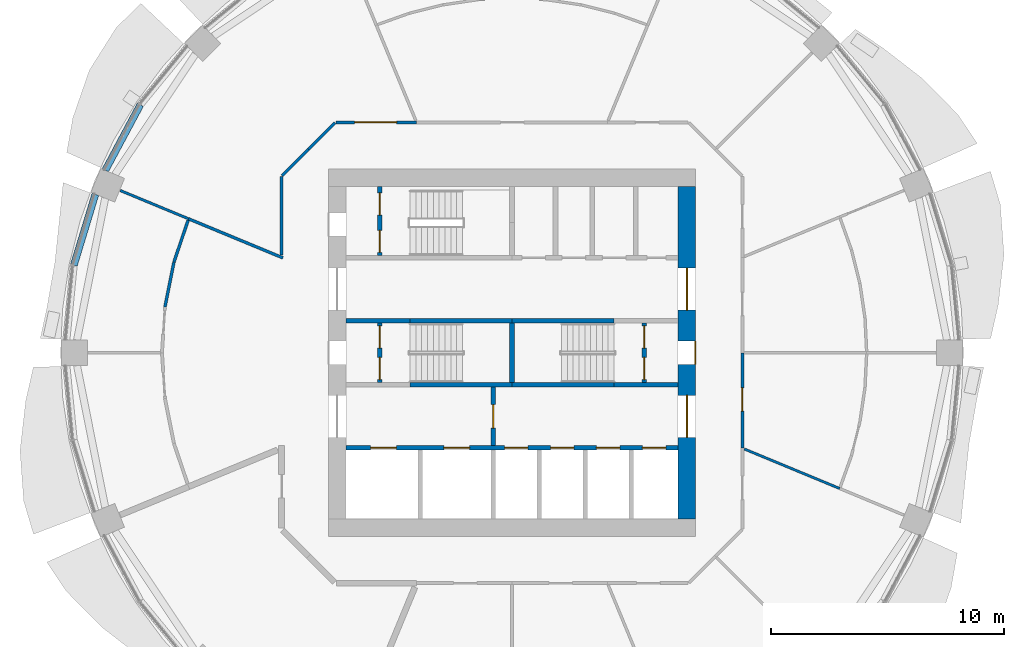
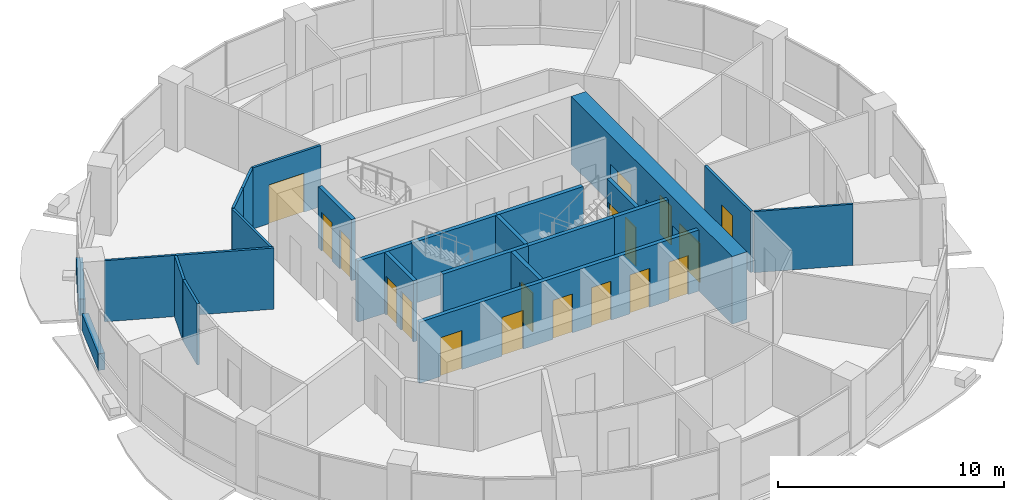
# One storey, part 8 of 14: 25 walls, 18 doors, 18 openings.
"""IFC4 building model written with IfcOpenShell, lengths in metres."""

from ifc_helpers import new_model, si_unit, direction, frame, frame_2d, origin, place, context, subcontext, project, spatial, rectangle, extrude, material, layer, layer_set, type_object, element, fill, save


model = new_model("IFC4")

# Units and contexts
model_context = context("Model", 3, precision=1e-05, world=origin(), true_north=direction((0.0, 1.0)))
body_context = subcontext(model_context, "Body", "Model", "MODEL_VIEW")
ifc_project = project(units=[si_unit("LENGTHUNIT", "METRE"), si_unit("AREAUNIT", "SQUARE_METRE"), si_unit("VOLUMEUNIT", "CUBIC_METRE"), si_unit("PLANEANGLEUNIT", "RADIAN"), si_unit("MASSUNIT", "GRAM", prefix="KILO")], contexts=[model_context])

# Site, building, storey
site_placement = place(None, origin())
site = spatial("IfcSite", under=ifc_project, at=site_placement, CompositionType="ELEMENT")
building_placement = place(site_placement, origin())
building = spatial("IfcBuilding", under=site, at=building_placement, Name="Polderwave Tower", CompositionType="ELEMENT")
storey_placement = place(building_placement, frame((0.0, 0.0, 91.0)))
storey = spatial("IfcBuildingStorey", under=building, at=storey_placement, Name="L23", CompositionType="ELEMENT", Elevation=91.0)

# Wall, openings, doors
ifc_material_1 = material(Name="Concrete C70/85", Category="concrete")
ifc_layer_1 = layer(ifc_material_1, 0.75)
ifc_layer_set_1 = layer_set([ifc_layer_1], Name="CORE WALL 750 C70/85")
wall_type_1 = type_object("IfcWallType", Name="CORE WALL 750 C70/85", PredefinedType="SHEAR", material=ifc_layer_set_1)
wall_1_placement = place(storey_placement, frame((7.4990234375, -7.1240234375, 0.0), z_axis=(0.0, 0.0, 1.0), x_axis=(0.0, 1.0, 0.0)))
wall_1 = element("IfcWall", 1, at=wall_1_placement, inside=storey, type_object=wall_type_1, Name="ST-CORE-L23-E", PredefinedType="SHEAR", context=body_context, shape_type="SweptSolid", body=[
    extrude(rectangle(XDim=14.248046875, YDim=0.75, at=frame_2d((7.1240234375, 0.0))), origin(), (0.0, 0.0, 1.0), 3.64990234375),
])
opening_1_placement = place(wall_1_placement, frame((6.6240234375, 0.0, 0.0)))
opening_1 = element("IfcOpeningElement", 2, at=opening_1_placement, cuts=wall_1, Name="Opening L23-D22", PredefinedType="OPENING", context=body_context, shape_type="SweptSolid", body=[
    extrude(rectangle(XDim=1.0, YDim=2.10009765625, at=frame_2d((0.5, 1.050048828125))), frame((0.0, 0.385009765625, 0.0), z_axis=(0.0, -1.0, 0.0), x_axis=(1.0, 0.0, 0.0)), (0.0, 0.0, 1.0), 0.77001953125),
])
opening_2_placement = place(wall_1_placement, frame((3.49951171875, 0.0, 0.0)))
opening_2 = element("IfcOpeningElement", 3, at=opening_2_placement, cuts=wall_1, Name="Opening L23-D23", PredefinedType="OPENING", context=body_context, shape_type="SweptSolid", body=[
    extrude(rectangle(XDim=1.800048828125, YDim=2.10009765625, at=frame_2d((0.89990234375, 1.050048828125))), frame((0.0, 0.385009765625, 0.0), z_axis=(0.0, -1.0, 0.0), x_axis=(1.0, 0.0, 0.0)), (0.0, 0.0, 1.0), 0.77001953125),
])
opening_3_placement = place(wall_1_placement, frame((8.948486328125, 0.0, 0.0)))
opening_3 = element("IfcOpeningElement", 4, at=opening_3_placement, cuts=wall_1, Name="Opening L23-D24", PredefinedType="OPENING", context=body_context, shape_type="SweptSolid", body=[
    extrude(rectangle(XDim=1.800048828125, YDim=2.10009765625, at=frame_2d((0.89990234375, 1.050048828125))), frame((0.0, 0.385009765625, 0.0), z_axis=(0.0, -1.0, 0.0), x_axis=(1.0, 0.0, 0.0)), (0.0, 0.0, 1.0), 0.77001953125),
])
ifc_material_2 = material(Name="Steel fire door", Category="steel")
door_type_1 = type_object("IfcDoorType", Name="Lobby entry door pair 1800", OperationType="DOUBLE_DOOR_SINGLE_SWING", PredefinedType="DOOR", material=ifc_material_2)
door_1_placement = place(opening_2_placement, frame((1.800048828125, 0.0, 0.0), z_axis=(0.0, 0.0, 1.0), x_axis=(-1.0, 0.0, 0.0)))
door_1 = element("IfcDoor", 5, at=door_1_placement, inside=storey, type_object=door_type_1, Name="South lobby entry door", OperationType="DOUBLE_DOOR_SINGLE_SWING", OverallHeight=2.10009765625, OverallWidth=1.800048828125, PredefinedType="DOOR", context=body_context, shape_type="SweptSolid", body=[
    extrude(rectangle(XDim=1.800048828125, YDim=2.10009765625, at=frame_2d((0.89990234375, 1.050048828125))), frame((0.0, 0.02490234375, 0.0), z_axis=(0.0, -1.0, 0.0), x_axis=(1.0, 0.0, 0.0)), (0.0, 0.0, 1.0), 0.050048828125),
])
fill(opening_2, door_1)
door_2_placement = place(opening_3_placement, frame((1.800048828125, 0.0, 0.0), z_axis=(0.0, 0.0, 1.0), x_axis=(-1.0, 0.0, 0.0)))
door_2 = element("IfcDoor", 6, at=door_2_placement, inside=storey, type_object=door_type_1, Name="North lobby entry door", OperationType="DOUBLE_DOOR_SINGLE_SWING", OverallHeight=2.10009765625, OverallWidth=1.800048828125, PredefinedType="DOOR", context=body_context, shape_type="SweptSolid", body=[
    extrude(rectangle(XDim=1.800048828125, YDim=2.10009765625, at=frame_2d((0.89990234375, 1.050048828125))), frame((0.0, 0.02490234375, 0.0), z_axis=(0.0, -1.0, 0.0), x_axis=(1.0, 0.0, 0.0)), (0.0, 0.0, 1.0), 0.050048828125),
])
fill(opening_3, door_2)
door_type_2 = type_object("IfcDoorType", Name="Stair door 1000", OperationType="NOTDEFINED", PredefinedType="DOOR", material=ifc_material_2)
door_3_placement = place(opening_1_placement, frame((1.0, 0.0, 0.0), z_axis=(0.0, 0.0, 1.0), x_axis=(-1.0, 0.0, 0.0)))
door_3 = element("IfcDoor", 7, at=door_3_placement, inside=storey, type_object=door_type_2, Name="Stair B entry door", OperationType="SINGLE_SWING_LEFT", OverallHeight=2.10009765625, OverallWidth=1.0, PredefinedType="DOOR", context=body_context, shape_type="SweptSolid", body=[
    extrude(rectangle(XDim=1.0, YDim=2.10009765625, at=frame_2d((0.5, 1.050048828125))), frame((0.0, 0.375, 0.0), z_axis=(0.0, -1.0, 0.0), x_axis=(1.0, 0.0, 0.0)), (0.0, 0.0, 1.0), 0.050048828125),
])
fill(opening_1, door_3)

# Walls
ifc_material_3 = material(Name="Concrete C50/60 (board-marked)", Category="concrete")
ifc_layer_2 = layer(ifc_material_3, 0.300048828125)
ifc_layer_set_2 = layer_set([ifc_layer_2], Name="Concrete spandrel upstand C50/60")
wall_type_2 = type_object("IfcWallType", Name="Concrete spandrel upstand C50/60", PredefinedType="SOLIDWALL", material=ifc_layer_set_2)
wall_2_placement = place(storey_placement, frame((-15.92919921875, 10.625732421875, 0.0), z_axis=(0.0, 0.0, 1.0), x_axis=(-0.471458802606, -0.88188808669, 0.0)))
element("IfcWall", 8, at=wall_2_placement, inside=storey, type_object=wall_type_2, Name="Spandrel L23 7b", PredefinedType="SOLIDWALL", context=body_context, shape_type="SweptSolid", body=[
    extrude(rectangle(XDim=3.17236328125, YDim=0.300048828125, at=frame_2d((1.586181640625, 0.0))), origin(), (0.0, 0.0, 1.0), 0.89990234375),
])
wall_3_placement = place(storey_placement, frame((-17.8564453125, 6.78662109375, 0.0), z_axis=(0.0, 0.0, 1.0), x_axis=(-0.290325591482, -0.956927923582, 0.0)))
element("IfcWall", 9, at=wall_3_placement, inside=storey, type_object=wall_type_2, Name="Spandrel L23 8a", PredefinedType="SOLIDWALL", context=body_context, shape_type="SweptSolid", body=[
    extrude(rectangle(XDim=3.1728515625, YDim=0.300048828125, at=frame_2d((1.58642578125, 0.0))), origin(), (0.0, 0.0, 1.0), 0.89990234375),
])

# Wall, opening, door
ifc_material_4 = material(Name="Gypsum board partition")
ifc_layer_3 = layer(ifc_material_4, 0.199951171875)
ifc_layer_set_3 = layer_set([ifc_layer_3], Name="Core room partition 200")
wall_type_3 = type_object("IfcWallType", Name="Core room partition 200", PredefinedType="PARTITIONING", material=ifc_layer_set_3)
wall_4_placement = place(storey_placement, frame((-0.800048828125, -3.97412109375, 0.0), z_axis=(0.0, 0.0, 1.0), x_axis=(0.0, 1.0, 0.0)))
wall_4 = element("IfcWall", 10, at=wall_4_placement, inside=storey, type_object=wall_type_3, Name="L23 fire-fighting lobby wall", PredefinedType="PARTITIONING", context=body_context, shape_type="SweptSolid", body=[
    extrude(rectangle(XDim=2.4990234375, YDim=0.199951171875, at=frame_2d((1.24951171875, 0.0))), origin(), (0.0, 0.0, 1.0), 3.300048828125),
])
opening_4_placement = place(wall_4_placement, frame((0.74951171875, 0.0, 0.0)))
opening_4 = element("IfcOpeningElement", 11, at=opening_4_placement, cuts=wall_4, Name="Opening L23-D13", PredefinedType="OPENING", context=body_context, shape_type="SweptSolid", body=[
    extrude(rectangle(XDim=1.0, YDim=2.10009765625, at=frame_2d((0.5, 1.050048828125))), frame((0.0, 0.10986328125, 0.0), z_axis=(0.0, -1.0, 0.0), x_axis=(1.0, 0.0, 0.0)), (0.0, 0.0, 1.0), 0.219970703125),
])
door_type_3 = type_object("IfcDoorType", Name="Lobby fire door 1000", OperationType="NOTDEFINED", PredefinedType="DOOR", material=ifc_material_2)
door_4_placement = place(opening_4_placement, frame((1.0, 0.0, 0.0), z_axis=(0.0, 0.0, 1.0), x_axis=(-1.0, 0.0, 0.0)))
door_4 = element("IfcDoor", 12, at=door_4_placement, inside=storey, type_object=door_type_3, Name="Fire-fighting lobby door", OperationType="SINGLE_SWING_LEFT", OverallHeight=2.10009765625, OverallWidth=1.0, PredefinedType="DOOR", context=body_context, shape_type="SweptSolid", body=[
    extrude(rectangle(XDim=1.0, YDim=2.10009765625, at=frame_2d((0.5, 1.050048828125))), frame((0.0, 0.02490234375, 0.0), z_axis=(0.0, -1.0, 0.0), x_axis=(1.0, 0.0, 0.0)), (0.0, 0.0, 1.0), 0.050048828125),
])
fill(opening_4, door_4)

# Wall, openings, doors
wall_5_placement = place(storey_placement, frame((-5.674072265625, -1.27490234375, 0.0), z_axis=(0.0, 0.0, 1.0), x_axis=(0.0, 1.0, 0.0)))
wall_5 = element("IfcWall", 13, at=wall_5_placement, inside=storey, type_object=wall_type_3, Name="L23 smoke lobby wall A", PredefinedType="PARTITIONING", context=body_context, shape_type="SweptSolid", body=[
    extrude(rectangle(XDim=2.5498046875, YDim=0.199951171875, at=frame_2d((1.27490234375, 0.0))), origin(), (0.0, 0.0, 1.0), 3.300048828125),
])
opening_5_placement = place(wall_5_placement, frame((0.125, 0.0, 0.0)))
opening_5 = element("IfcOpeningElement", 14, at=opening_5_placement, cuts=wall_5, Name="Opening L23-D07", PredefinedType="OPENING", context=body_context, shape_type="SweptSolid", body=[
    extrude(rectangle(XDim=0.949951171875, YDim=2.10009765625, at=frame_2d((0.47509765625, 1.050048828125))), frame((0.0, 0.10986328125, 0.0), z_axis=(0.0, -1.0, 0.0), x_axis=(1.0, 0.0, 0.0)), (0.0, 0.0, 1.0), 0.219970703125),
])
opening_6_placement = place(wall_5_placement, frame((1.47509765625, 0.0, 0.0)))
opening_6 = element("IfcOpeningElement", 15, at=opening_6_placement, cuts=wall_5, Name="Opening L23-D08", PredefinedType="OPENING", context=body_context, shape_type="SweptSolid", body=[
    extrude(rectangle(XDim=0.949951171875, YDim=2.10009765625, at=frame_2d((0.47509765625, 1.050048828125))), frame((0.0, 0.10986328125, 0.0), z_axis=(0.0, -1.0, 0.0), x_axis=(1.0, 0.0, 0.0)), (0.0, 0.0, 1.0), 0.219970703125),
])
door_type_4 = type_object("IfcDoorType", Name="Smoke lobby door 950", OperationType="NOTDEFINED", PredefinedType="DOOR", material=ifc_material_2)
door_5_placement = place(opening_5_placement, origin())
door_5 = element("IfcDoor", 16, at=door_5_placement, inside=storey, type_object=door_type_4, Name="Stair A smoke lobby inner door", OperationType="SINGLE_SWING_LEFT", OverallHeight=2.10009765625, OverallWidth=0.949951171875, PredefinedType="DOOR", context=body_context, shape_type="SweptSolid", body=[
    extrude(rectangle(XDim=0.949951171875, YDim=2.10009765625, at=frame_2d((0.47509765625, 1.050048828125))), frame((0.0, 0.02490234375, 0.0), z_axis=(0.0, -1.0, 0.0), x_axis=(1.0, 0.0, 0.0)), (0.0, 0.0, 1.0), 0.050048828125),
])
fill(opening_5, door_5)
door_6_placement = place(opening_6_placement, origin())
door_6 = element("IfcDoor", 17, at=door_6_placement, inside=storey, type_object=door_type_4, Name="Stair A smoke lobby inner door", OperationType="SINGLE_SWING_RIGHT", OverallHeight=2.10009765625, OverallWidth=0.949951171875, PredefinedType="DOOR", context=body_context, shape_type="SweptSolid", body=[
    extrude(rectangle(XDim=0.949951171875, YDim=2.10009765625, at=frame_2d((0.47509765625, 1.050048828125))), frame((0.0, 0.02490234375, 0.0), z_axis=(0.0, -1.0, 0.0), x_axis=(1.0, 0.0, 0.0)), (0.0, 0.0, 1.0), 0.050048828125),
])
fill(opening_6, door_6)

wall_6_placement = place(storey_placement, frame((5.674072265625, -1.27490234375, 0.0), z_axis=(0.0, 0.0, 1.0), x_axis=(0.0, 1.0, 0.0)))
wall_6 = element("IfcWall", 18, at=wall_6_placement, inside=storey, type_object=wall_type_3, Name="L23 smoke lobby wall B", PredefinedType="PARTITIONING", context=body_context, shape_type="SweptSolid", body=[
    extrude(rectangle(XDim=2.5498046875, YDim=0.199951171875, at=frame_2d((1.27490234375, 0.0))), origin(), (0.0, 0.0, 1.0), 3.300048828125),
])
opening_7_placement = place(wall_6_placement, frame((0.125, 0.0, 0.0)))
opening_7 = element("IfcOpeningElement", 19, at=opening_7_placement, cuts=wall_6, Name="Opening L23-D09", PredefinedType="OPENING", context=body_context, shape_type="SweptSolid", body=[
    extrude(rectangle(XDim=0.949951171875, YDim=2.10009765625, at=frame_2d((0.47509765625, 1.050048828125))), frame((0.0, 0.10986328125, 0.0), z_axis=(0.0, -1.0, 0.0), x_axis=(1.0, 0.0, 0.0)), (0.0, 0.0, 1.0), 0.219970703125),
])
opening_8_placement = place(wall_6_placement, frame((1.47509765625, 0.0, 0.0)))
opening_8 = element("IfcOpeningElement", 20, at=opening_8_placement, cuts=wall_6, Name="Opening L23-D10", PredefinedType="OPENING", context=body_context, shape_type="SweptSolid", body=[
    extrude(rectangle(XDim=0.949951171875, YDim=2.10009765625, at=frame_2d((0.47509765625, 1.050048828125))), frame((0.0, 0.10986328125, 0.0), z_axis=(0.0, -1.0, 0.0), x_axis=(1.0, 0.0, 0.0)), (0.0, 0.0, 1.0), 0.219970703125),
])
door_7_placement = place(opening_7_placement, frame((0.949951171875, 0.0, 0.0), z_axis=(0.0, 0.0, 1.0), x_axis=(-1.0, 0.0, 0.0)))
door_7 = element("IfcDoor", 21, at=door_7_placement, inside=storey, type_object=door_type_4, Name="Stair B smoke lobby inner door", OperationType="SINGLE_SWING_RIGHT", OverallHeight=2.10009765625, OverallWidth=0.949951171875, PredefinedType="DOOR", context=body_context, shape_type="SweptSolid", body=[
    extrude(rectangle(XDim=0.949951171875, YDim=2.10009765625, at=frame_2d((0.47509765625, 1.050048828125))), frame((0.0, 0.02490234375, 0.0), z_axis=(0.0, -1.0, 0.0), x_axis=(1.0, 0.0, 0.0)), (0.0, 0.0, 1.0), 0.050048828125),
])
fill(opening_7, door_7)
door_8_placement = place(opening_8_placement, frame((0.949951171875, 0.0, 0.0), z_axis=(0.0, 0.0, 1.0), x_axis=(-1.0, 0.0, 0.0)))
door_8 = element("IfcDoor", 22, at=door_8_placement, inside=storey, type_object=door_type_4, Name="Stair B smoke lobby inner door", OperationType="SINGLE_SWING_LEFT", OverallHeight=2.10009765625, OverallWidth=0.949951171875, PredefinedType="DOOR", context=body_context, shape_type="SweptSolid", body=[
    extrude(rectangle(XDim=0.949951171875, YDim=2.10009765625, at=frame_2d((0.47509765625, 1.050048828125))), frame((0.0, 0.02490234375, 0.0), z_axis=(0.0, -1.0, 0.0), x_axis=(1.0, 0.0, 0.0)), (0.0, 0.0, 1.0), 0.050048828125),
])
fill(opening_8, door_8)

wall_7_placement = place(storey_placement, frame((-5.674072265625, 4.174072265625, 0.0), z_axis=(0.0, 0.0, 1.0), x_axis=(0.0, 1.0, 0.0)))
wall_7 = element("IfcWall", 23, at=wall_7_placement, inside=storey, type_object=wall_type_3, Name="L23 smoke lobby wall C", PredefinedType="PARTITIONING", context=body_context, shape_type="SweptSolid", body=[
    extrude(rectangle(XDim=2.949951171875, YDim=0.199951171875, at=frame_2d((1.47509765625, 0.0))), origin(), (0.0, 0.0, 1.0), 3.300048828125),
])
opening_9_placement = place(wall_7_placement, frame((0.125, 0.0, 0.0)))
opening_9 = element("IfcOpeningElement", 24, at=opening_9_placement, cuts=wall_7, Name="Opening L23-D11", PredefinedType="OPENING", context=body_context, shape_type="SweptSolid", body=[
    extrude(rectangle(XDim=0.949951171875, YDim=2.10009765625, at=frame_2d((0.47509765625, 1.050048828125))), frame((0.0, 0.10986328125, 0.0), z_axis=(0.0, -1.0, 0.0), x_axis=(1.0, 0.0, 0.0)), (0.0, 0.0, 1.0), 0.219970703125),
])
opening_10_placement = place(wall_7_placement, frame((1.72509765625, 0.0, 0.0)))
opening_10 = element("IfcOpeningElement", 25, at=opening_10_placement, cuts=wall_7, Name="Opening L23-D12", PredefinedType="OPENING", context=body_context, shape_type="SweptSolid", body=[
    extrude(rectangle(XDim=0.949951171875, YDim=2.10009765625, at=frame_2d((0.47509765625, 1.050048828125))), frame((0.0, 0.10986328125, 0.0), z_axis=(0.0, -1.0, 0.0), x_axis=(1.0, 0.0, 0.0)), (0.0, 0.0, 1.0), 0.219970703125),
])
door_9_placement = place(opening_9_placement, origin())
door_9 = element("IfcDoor", 26, at=door_9_placement, inside=storey, type_object=door_type_4, Name="Stair C smoke lobby inner door", OperationType="SINGLE_SWING_LEFT", OverallHeight=2.10009765625, OverallWidth=0.949951171875, PredefinedType="DOOR", context=body_context, shape_type="SweptSolid", body=[
    extrude(rectangle(XDim=0.949951171875, YDim=2.10009765625, at=frame_2d((0.47509765625, 1.050048828125))), frame((0.0, 0.02490234375, 0.0), z_axis=(0.0, -1.0, 0.0), x_axis=(1.0, 0.0, 0.0)), (0.0, 0.0, 1.0), 0.050048828125),
])
fill(opening_9, door_9)
door_10_placement = place(opening_10_placement, origin())
door_10 = element("IfcDoor", 27, at=door_10_placement, inside=storey, type_object=door_type_4, Name="Stair C smoke lobby inner door", OperationType="SINGLE_SWING_RIGHT", OverallHeight=2.10009765625, OverallWidth=0.949951171875, PredefinedType="DOOR", context=body_context, shape_type="SweptSolid", body=[
    extrude(rectangle(XDim=0.949951171875, YDim=2.10009765625, at=frame_2d((0.47509765625, 1.050048828125))), frame((0.0, 0.02490234375, 0.0), z_axis=(0.0, -1.0, 0.0), x_axis=(1.0, 0.0, 0.0)), (0.0, 0.0, 1.0), 0.050048828125),
])
fill(opening_10, door_10)

ifc_material_5 = material(Name="Concrete C50/60", Category="concrete")
ifc_layer_4 = layer(ifc_material_5, 0.199951171875)
ifc_layer_set_4 = layer_set([ifc_layer_4], Name="Core web wall 200")
wall_type_4 = type_object("IfcWallType", Name="Core web wall 200", PredefinedType="SHEAR", material=ifc_layer_set_4)
wall_8_placement = place(storey_placement, frame((-7.1240234375, -4.073974609375, 0.0), z_axis=(0.0, 0.0, 1.0), x_axis=(1.0, 0.0, 0.0)))
wall_8 = element("IfcWall", 28, at=wall_8_placement, inside=storey, type_object=wall_type_4, Name="L23 south front wall", PredefinedType="SHEAR", context=body_context, shape_type="SweptSolid", body=[
    extrude(rectangle(XDim=14.248046875, YDim=0.199951171875, at=frame_2d((7.1240234375, 0.0))), origin(), (0.0, 0.0, 1.0), 3.300048828125),
])
opening_11_placement = place(wall_8_placement, frame((1.068603515625, 0.0, 0.0)))
opening_11 = element("IfcOpeningElement", 29, at=opening_11_placement, cuts=wall_8, Name="Opening L23-D01", PredefinedType="OPENING", context=body_context, shape_type="SweptSolid", body=[
    extrude(rectangle(XDim=1.10009765625, YDim=2.10009765625, at=frame_2d((0.550048828125, 1.050048828125))), frame((0.0, 0.10986328125, 0.0), z_axis=(0.0, -1.0, 0.0), x_axis=(1.0, 0.0, 0.0)), (0.0, 0.0, 1.0), 0.219970703125),
])
opening_12_placement = place(wall_8_placement, frame((4.20556640625, 0.0, 0.0)))
opening_12 = element("IfcOpeningElement", 30, at=opening_12_placement, cuts=wall_8, Name="Opening L23-D02", PredefinedType="OPENING", context=body_context, shape_type="SweptSolid", body=[
    extrude(rectangle(XDim=1.10009765625, YDim=2.10009765625, at=frame_2d((0.550048828125, 1.050048828125))), frame((0.0, 0.10986328125, 0.0), z_axis=(0.0, -1.0, 0.0), x_axis=(1.0, 0.0, 0.0)), (0.0, 0.0, 1.0), 0.219970703125),
])
opening_13_placement = place(wall_8_placement, frame((6.80810546875, 0.0, 0.0)))
opening_13 = element("IfcOpeningElement", 31, at=opening_13_placement, cuts=wall_8, Name="Opening L23-D03", PredefinedType="OPENING", context=body_context, shape_type="SweptSolid", body=[
    extrude(rectangle(XDim=1.0, YDim=2.10009765625, at=frame_2d((0.5, 1.050048828125))), frame((0.0, 0.10986328125, 0.0), z_axis=(0.0, -1.0, 0.0), x_axis=(1.0, 0.0, 0.0)), (0.0, 0.0, 1.0), 0.219970703125),
])
opening_14_placement = place(wall_8_placement, frame((8.776611328125, 0.0, 0.0)))
opening_14 = element("IfcOpeningElement", 32, at=opening_14_placement, cuts=wall_8, Name="Opening L23-D04", PredefinedType="OPENING", context=body_context, shape_type="SweptSolid", body=[
    extrude(rectangle(XDim=1.0, YDim=2.10009765625, at=frame_2d((0.5, 1.050048828125))), frame((0.0, 0.10986328125, 0.0), z_axis=(0.0, -1.0, 0.0), x_axis=(1.0, 0.0, 0.0)), (0.0, 0.0, 1.0), 0.219970703125),
])
opening_15_placement = place(wall_8_placement, frame((10.7451171875, 0.0, 0.0)))
opening_15 = element("IfcOpeningElement", 33, at=opening_15_placement, cuts=wall_8, Name="Opening L23-D05", PredefinedType="OPENING", context=body_context, shape_type="SweptSolid", body=[
    extrude(rectangle(XDim=1.0, YDim=2.10009765625, at=frame_2d((0.5, 1.050048828125))), frame((0.0, 0.10986328125, 0.0), z_axis=(0.0, -1.0, 0.0), x_axis=(1.0, 0.0, 0.0)), (0.0, 0.0, 1.0), 0.219970703125),
])
opening_16_placement = place(wall_8_placement, frame((12.7138671875, 0.0, 0.0)))
opening_16 = element("IfcOpeningElement", 34, at=opening_16_placement, cuts=wall_8, Name="Opening L23-D06", PredefinedType="OPENING", context=body_context, shape_type="SweptSolid", body=[
    extrude(rectangle(XDim=1.0, YDim=2.10009765625, at=frame_2d((0.5, 1.050048828125))), frame((0.0, 0.10986328125, 0.0), z_axis=(0.0, -1.0, 0.0), x_axis=(1.0, 0.0, 0.0)), (0.0, 0.0, 1.0), 0.219970703125),
])
ifc_material_6 = material(Name="Stainless steel", Category="steel")
door_type_5 = type_object("IfcDoorType", Name="Fire-fighting lift landing door 1100", OperationType="DOUBLE_DOOR_SLIDING", PredefinedType="DOOR", material=ifc_material_6)
door_11_placement = place(opening_11_placement, origin())
door_11 = element("IfcDoor", 35, at=door_11_placement, inside=storey, type_object=door_type_5, Name="Fire-fighting lift FF1 landing door", OperationType="DOUBLE_DOOR_SLIDING", OverallHeight=2.10009765625, OverallWidth=1.10009765625, PredefinedType="DOOR", context=body_context, shape_type="SweptSolid", body=[
    extrude(rectangle(XDim=1.10009765625, YDim=2.10009765625, at=frame_2d((0.550048828125, 1.050048828125))), frame((0.0, 0.02490234375, 0.0), z_axis=(0.0, -1.0, 0.0), x_axis=(1.0, 0.0, 0.0)), (0.0, 0.0, 1.0), 0.050048828125),
])
fill(opening_11, door_11)
door_12_placement = place(opening_12_placement, origin())
door_12 = element("IfcDoor", 36, at=door_12_placement, inside=storey, type_object=door_type_5, Name="Fire-fighting lift FF2 landing door", OperationType="DOUBLE_DOOR_SLIDING", OverallHeight=2.10009765625, OverallWidth=1.10009765625, PredefinedType="DOOR", context=body_context, shape_type="SweptSolid", body=[
    extrude(rectangle(XDim=1.10009765625, YDim=2.10009765625, at=frame_2d((0.550048828125, 1.050048828125))), frame((0.0, 0.02490234375, 0.0), z_axis=(0.0, -1.0, 0.0), x_axis=(1.0, 0.0, 0.0)), (0.0, 0.0, 1.0), 0.050048828125),
])
fill(opening_12, door_12)
door_type_6 = type_object("IfcDoorType", Name="Lift landing door 1000", OperationType="DOUBLE_DOOR_SLIDING", PredefinedType="DOOR", material=ifc_material_6)
door_13_placement = place(opening_13_placement, origin())
door_13 = element("IfcDoor", 37, at=door_13_placement, inside=storey, type_object=door_type_6, Name="Lift LL1 landing door", OperationType="DOUBLE_DOOR_SLIDING", OverallHeight=2.10009765625, OverallWidth=1.0, PredefinedType="DOOR", context=body_context, shape_type="SweptSolid", body=[
    extrude(rectangle(XDim=1.0, YDim=2.10009765625, at=frame_2d((0.5, 1.050048828125))), frame((0.0, 0.02490234375, 0.0), z_axis=(0.0, -1.0, 0.0), x_axis=(1.0, 0.0, 0.0)), (0.0, 0.0, 1.0), 0.050048828125),
])
fill(opening_13, door_13)
door_14_placement = place(opening_14_placement, origin())
door_14 = element("IfcDoor", 38, at=door_14_placement, inside=storey, type_object=door_type_6, Name="Lift LL2 landing door", OperationType="DOUBLE_DOOR_SLIDING", OverallHeight=2.10009765625, OverallWidth=1.0, PredefinedType="DOOR", context=body_context, shape_type="SweptSolid", body=[
    extrude(rectangle(XDim=1.0, YDim=2.10009765625, at=frame_2d((0.5, 1.050048828125))), frame((0.0, 0.02490234375, 0.0), z_axis=(0.0, -1.0, 0.0), x_axis=(1.0, 0.0, 0.0)), (0.0, 0.0, 1.0), 0.050048828125),
])
fill(opening_14, door_14)
door_15_placement = place(opening_15_placement, origin())
door_15 = element("IfcDoor", 39, at=door_15_placement, inside=storey, type_object=door_type_6, Name="Lift LL3 landing door", OperationType="DOUBLE_DOOR_SLIDING", OverallHeight=2.10009765625, OverallWidth=1.0, PredefinedType="DOOR", context=body_context, shape_type="SweptSolid", body=[
    extrude(rectangle(XDim=1.0, YDim=2.10009765625, at=frame_2d((0.5, 1.050048828125))), frame((0.0, 0.02490234375, 0.0), z_axis=(0.0, -1.0, 0.0), x_axis=(1.0, 0.0, 0.0)), (0.0, 0.0, 1.0), 0.050048828125),
])
fill(opening_15, door_15)
door_16_placement = place(opening_16_placement, origin())
door_16 = element("IfcDoor", 40, at=door_16_placement, inside=storey, type_object=door_type_6, Name="Lift LL4 landing door", OperationType="DOUBLE_DOOR_SLIDING", OverallHeight=2.10009765625, OverallWidth=1.0, PredefinedType="DOOR", context=body_context, shape_type="SweptSolid", body=[
    extrude(rectangle(XDim=1.0, YDim=2.10009765625, at=frame_2d((0.5, 1.050048828125))), frame((0.0, 0.02490234375, 0.0), z_axis=(0.0, -1.0, 0.0), x_axis=(1.0, 0.0, 0.0)), (0.0, 0.0, 1.0), 0.050048828125),
])
fill(opening_16, door_16)

# Walls
for number, where, z_axis, x_axis, name in (
    (41, (-4.3740234375, -1.375, 0.0), (0.0, 0.0, 1.0), (1.0, 0.0, 0.0), "L23 south stair wall 2"),
    (42, (0.0, -1.375, 0.0), (0.0, 0.0, 1.0), (1.0, 0.0, 0.0), "L23 south stair wall 3"),
):
    element("IfcWall", number, at=place(storey_placement, frame(where, z_axis=z_axis, x_axis=x_axis)), inside=storey, type_object=wall_type_4, Name=name, PredefinedType="SHEAR", context=body_context, shape_type="SweptSolid", body=[
        extrude(rectangle(XDim=4.3740234375, YDim=0.199951171875, at=frame_2d((2.18701171875, 0.0))), origin(), (0.0, 0.0, 1.0), 3.300048828125),
    ])
for number, where, z_axis, x_axis, name in (
    (43, (4.3740234375, -1.375, 0.0), (0.0, 0.0, 1.0), (1.0, 0.0, 0.0), "L23 south stair wall 4"),
    (44, (-7.1240234375, 1.375, 0.0), (0.0, 0.0, 1.0), (1.0, 0.0, 0.0), "L23 north stair wall 1"),
):
    element("IfcWall", number, at=place(storey_placement, frame(where, z_axis=z_axis, x_axis=x_axis)), inside=storey, type_object=wall_type_4, Name=name, PredefinedType="SHEAR", context=body_context, shape_type="SweptSolid", body=[
        extrude(rectangle(XDim=2.75, YDim=0.199951171875, at=frame_2d((1.375, 0.0))), origin(), (0.0, 0.0, 1.0), 3.300048828125),
    ])
for number, where, z_axis, x_axis, name in (
    (45, (-4.3740234375, 1.375, 0.0), (0.0, 0.0, 1.0), (1.0, 0.0, 0.0), "L23 north stair wall 2"),
    (46, (0.0, 1.375, 0.0), (0.0, 0.0, 1.0), (1.0, 0.0, 0.0), "L23 north stair wall 3"),
):
    element("IfcWall", number, at=place(storey_placement, frame(where, z_axis=z_axis, x_axis=x_axis)), inside=storey, type_object=wall_type_4, Name=name, PredefinedType="SHEAR", context=body_context, shape_type="SweptSolid", body=[
        extrude(rectangle(XDim=4.3740234375, YDim=0.199951171875, at=frame_2d((2.18701171875, 0.0))), origin(), (0.0, 0.0, 1.0), 3.300048828125),
    ])
wall_9_placement = place(storey_placement, frame((0.0, -1.27490234375, 0.0), z_axis=(0.0, 0.0, 1.0), x_axis=(0.0, 1.0, 0.0)))
element("IfcWall", 47, at=wall_9_placement, inside=storey, type_object=wall_type_4, Name="L23 wall between the stairs", PredefinedType="SHEAR", context=body_context, shape_type="SweptSolid", body=[
    extrude(rectangle(XDim=2.5498046875, YDim=0.199951171875, at=frame_2d((1.27490234375, 0.0))), origin(), (0.0, 0.0, 1.0), 3.300048828125),
])

# Wall, opening, door
ifc_material_7 = material(Name="Fire-resisting board on steel studs", Category="steel")
ifc_layer_5 = layer(ifc_material_7, 0.125)
ifc_layer_set_5 = layer_set([ifc_layer_5], Name="Corridor wall 125 mm EI 60")
wall_type_5 = type_object("IfcWallType", Name="Corridor wall 125 mm EI 60", PredefinedType="PARTITIONING", material=ifc_layer_set_5)
wall_10_placement = place(storey_placement, frame((9.8740234375, 0.0, 0.0), z_axis=(0.0, 0.0, 1.0), x_axis=(0.0, -1.0, 0.0)))
wall_10 = element("IfcWall", 48, at=wall_10_placement, inside=storey, type_object=wall_type_5, Name="IN-L23-W006", PredefinedType="PARTITIONING", context=body_context, shape_type="SweptSolid", body=[
    extrude(rectangle(XDim=4.08984375, YDim=0.125, at=frame_2d((2.044921875, 0.0))), origin(), (0.0, 0.0, 1.0), 3.300048828125),
])
opening_17_placement = place(wall_10_placement, frame((1.5, 0.0, 0.0)))
opening_17 = element("IfcOpeningElement", 49, at=opening_17_placement, cuts=wall_10, Name="Opening L23-D53", PredefinedType="OPENING", context=body_context, shape_type="SweptSolid", body=[
    extrude(rectangle(XDim=1.0, YDim=2.10009765625, at=frame_2d((0.5, 1.050048828125))), frame((0.0, 0.072509765625, 0.0), z_axis=(0.0, -1.0, 0.0), x_axis=(1.0, 0.0, 0.0)), (0.0, 0.0, 1.0), 0.14501953125),
])
ifc_material_8 = material(Name="Timber fire door leaf", Category="wood")
door_type_7 = type_object("IfcDoorType", Name="Fire door FD30S 1000 x 2100", OperationType="NOTDEFINED", PredefinedType="DOOR", material=ifc_material_8)
door_17_placement = place(opening_17_placement, origin())
door_17 = element("IfcDoor", 50, at=door_17_placement, inside=storey, type_object=door_type_7, Name="Door L23-D53", OperationType="SINGLE_SWING_LEFT", OverallHeight=2.10009765625, OverallWidth=1.0, PredefinedType="DOOR", context=body_context, shape_type="SweptSolid", body=[
    extrude(rectangle(XDim=1.0, YDim=2.10009765625, at=frame_2d((0.5, 1.050048828125))), frame((0.0, 0.02490234375, 0.0), z_axis=(0.0, -1.0, 0.0), x_axis=(1.0, 0.0, 0.0)), (0.0, 0.0, 1.0), 0.050048828125),
])
fill(opening_17, door_17)

# Wall
wall_11_placement = place(storey_placement, frame((-8.722412109375, 8.722412109375, 0.0), z_axis=(0.0, 0.0, 1.0), x_axis=(0.707030604857, 0.70718294931, 0.0)))
element("IfcWall", 51, at=wall_11_placement, inside=storey, type_object=wall_type_5, Name="IN-L23-W010", PredefinedType="PARTITIONING", context=body_context, shape_type="SweptSolid", body=[
    extrude(rectangle(XDim=1.6025390625, YDim=0.125, at=frame_2d((0.80126953125, 0.0))), origin(), (0.0, 0.0, 1.0), 3.300048828125),
])

# Wall, opening, door
wall_12_placement = place(storey_placement, frame((-7.545166015625, 9.8740234375, 0.0), z_axis=(0.0, 0.0, 1.0), x_axis=(1.0, 0.0, 0.0)))
wall_12 = element("IfcWall", 52, at=wall_12_placement, inside=storey, type_object=wall_type_5, Name="IN-L23-W011", PredefinedType="PARTITIONING", context=body_context, shape_type="SweptSolid", body=[
    extrude(rectangle(XDim=3.455322265625, YDim=0.125, at=frame_2d((1.7275390625, 0.0))), origin(), (0.0, 0.0, 1.0), 3.300048828125),
])
opening_18_placement = place(wall_12_placement, frame((0.800048828125, 0.0, 0.0)))
opening_18 = element("IfcOpeningElement", 53, at=opening_18_placement, cuts=wall_12, Name="Opening L23-D56", PredefinedType="OPENING", context=body_context, shape_type="SweptSolid", body=[
    extrude(rectangle(XDim=1.800048828125, YDim=2.10009765625, at=frame_2d((0.89990234375, 1.050048828125))), frame((0.0, 0.072509765625, 0.0), z_axis=(0.0, -1.0, 0.0), x_axis=(1.0, 0.0, 0.0)), (0.0, 0.0, 1.0), 0.14501953125),
])
ifc_material_9 = material(Name="Timber fire door leaves", Category="wood")
door_type_8 = type_object("IfcDoorType", Name="Double fire door FD30S 1800 x 2100", OperationType="NOTDEFINED", PredefinedType="DOOR", material=ifc_material_9)
door_18_placement = place(opening_18_placement, origin())
door_18 = element("IfcDoor", 54, at=door_18_placement, inside=storey, type_object=door_type_8, Name="Door L23-D56", OperationType="DOUBLE_DOOR_SINGLE_SWING", OverallHeight=2.10009765625, OverallWidth=1.800048828125, PredefinedType="DOOR", context=body_context, shape_type="SweptSolid", body=[
    extrude(rectangle(XDim=1.800048828125, YDim=2.10009765625, at=frame_2d((0.89990234375, 1.050048828125))), frame((0.0, 0.02490234375, 0.0), z_axis=(0.0, -1.0, 0.0), x_axis=(1.0, 0.0, 0.0)), (0.0, 0.0, 1.0), 0.050048828125),
])
fill(opening_18, door_18)

# Walls
wall_13_placement = place(storey_placement, frame((-9.8740234375, 4.183349609375, 0.0), z_axis=(0.0, 0.0, 1.0), x_axis=(0.0, 1.0, 0.0)))
element("IfcWall", 55, at=wall_13_placement, inside=storey, type_object=wall_type_5, Name="IN-L23-W012", PredefinedType="PARTITIONING", context=body_context, shape_type="SweptSolid", body=[
    extrude(rectangle(XDim=3.36181640625, YDim=0.125, at=frame_2d((1.680908203125, 0.0))), origin(), (0.0, 0.0, 1.0), 3.300048828125),
])
wall_14_placement = place(storey_placement, frame((-9.855712890625, 7.58935546875, 0.0), z_axis=(0.0, 0.0, 1.0), x_axis=(0.70718294931, 0.707030604857, 0.0)))
element("IfcWall", 56, at=wall_14_placement, inside=storey, type_object=wall_type_5, Name="IN-L23-W013", PredefinedType="PARTITIONING", context=body_context, shape_type="SweptSolid", body=[
    extrude(rectangle(XDim=1.6025390625, YDim=0.125, at=frame_2d((0.80126953125, 0.0))), origin(), (0.0, 0.0, 1.0), 3.300048828125),
])
wall_15_placement = place(storey_placement, frame((-9.81640625, 4.06591796875, 0.0), z_axis=(0.0, 0.0, 1.0), x_axis=(-0.923865829688, 0.382716512232, 0.0)))
element("IfcWall", 57, at=wall_15_placement, inside=storey, type_object=wall_type_5, Name="IN-L23-W044", PredefinedType="PARTITIONING", context=body_context, shape_type="SweptSolid", body=[
    extrude(rectangle(XDim=4.374755859375, YDim=0.125, at=frame_2d((2.1875, 0.0))), origin(), (0.0, 0.0, 1.0), 3.300048828125),
])
wall_16_placement = place(storey_placement, frame((-14.870849609375, 1.9619140625, 0.0), z_axis=(0.0, 0.0, 1.0), x_axis=(0.195034785279, 0.980796325713, 0.0)))
element("IfcWall", 58, at=wall_16_placement, inside=storey, type_object=wall_type_5, Name="IN-L23-W047", PredefinedType="PARTITIONING", context=body_context, shape_type="SweptSolid", body=[
    extrude(rectangle(XDim=1.9541015625, YDim=0.125, at=frame_2d((0.97705078125, 0.0))), origin(), (0.0, 0.0, 1.0), 3.300048828125),
])
wall_17_placement = place(storey_placement, frame((-14.487548828125, 3.88623046875, 0.0), z_axis=(0.0, 0.0, 1.0), x_axis=(0.321451389675, 0.946926081633, 0.0)))
element("IfcWall", 59, at=wall_17_placement, inside=storey, type_object=wall_type_5, Name="IN-L23-W048", PredefinedType="PARTITIONING", context=body_context, shape_type="SweptSolid", body=[
    extrude(rectangle(XDim=1.89111328125, YDim=0.125, at=frame_2d((0.945556640625, 0.0))), origin(), (0.0, 0.0, 1.0), 3.300048828125),
])
ifc_material_10 = material(Name="Moisture-resistant board on steel studs, tiled", Category="steel")
ifc_layer_6 = layer(ifc_material_10, 0.10498046875)
ifc_layer_set_6 = layer_set([ifc_layer_6], Name="Partition 105 mm wet room board and tile")
wall_type_6 = type_object("IfcWallType", Name="Partition 105 mm wet room board and tile", PredefinedType="PARTITIONING", material=ifc_layer_set_6)
wall_18_placement = place(storey_placement, frame((9.95654296875, -4.1240234375, 0.0), z_axis=(0.0, 0.0, 1.0), x_axis=(0.923862097388, -0.382725521764, 0.0)))
element("IfcWall", 60, at=wall_18_placement, inside=storey, type_object=wall_type_6, Name="IN-L23-W069", PredefinedType="PARTITIONING", context=body_context, shape_type="SweptSolid", body=[
    extrude(rectangle(XDim=4.423095703125, YDim=0.10498046875, at=frame_2d((2.21142578125, 0.0))), origin(), (0.0, 0.0, 1.0), 3.300048828125),
])
ifc_material_11 = material(Name="Acoustic double plasterboard on steel studs", Category="steel")
ifc_layer_7 = layer(ifc_material_11, 0.110107421875)
ifc_layer_set_7 = layer_set([ifc_layer_7], Name="Partition 110 mm acoustic double board")
wall_type_7 = type_object("IfcWallType", Name="Partition 110 mm acoustic double board", PredefinedType="PARTITIONING", material=ifc_layer_set_7)
wall_19_placement = place(storey_placement, frame((-13.858154296875, 5.740234375, 0.0), z_axis=(0.0, 0.0, 1.0), x_axis=(-0.923876970079, 0.382689618566, 0.0)))
element("IfcWall", 61, at=wall_19_placement, inside=storey, type_object=wall_type_7, Name="IN-L23-W045", PredefinedType="PARTITIONING", context=body_context, shape_type="SweptSolid", body=[
    extrude(rectangle(XDim=3.169921875, YDim=0.110107421875, at=frame_2d((1.5849609375, 0.0))), origin(), (0.0, 0.0, 1.0), 3.300048828125),
])

save(model, "model.ifc")
